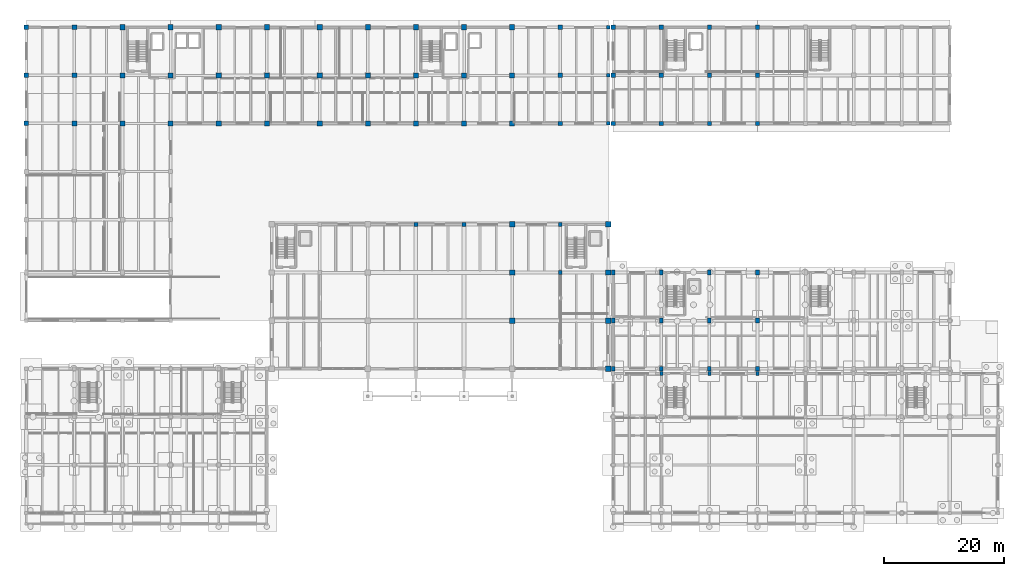
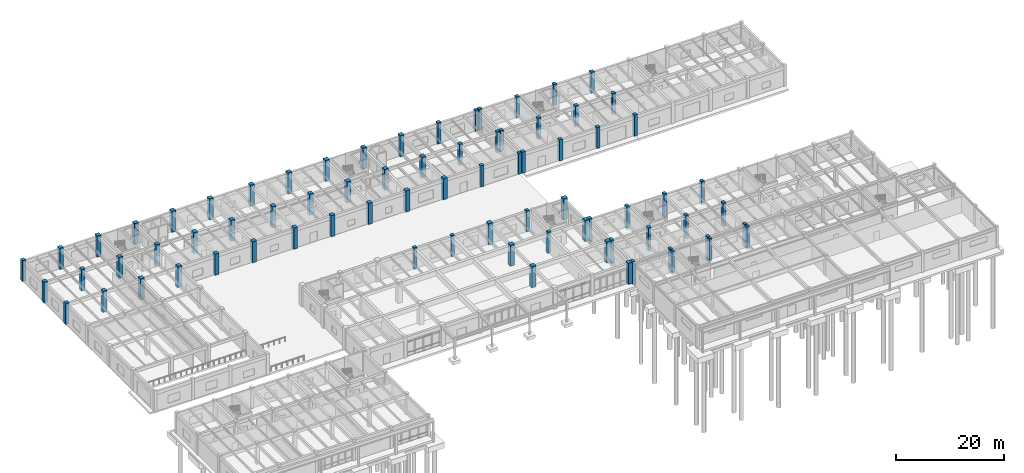
# One storey, part 10 of 64: 77 columns.
"""IFC4 building model written with IfcOpenShell, lengths in metres."""

from ifc_helpers import new_model, si_unit, direction, frame, origin, origin_2d, place, context, subcontext, project, spatial, rectangle, extrude, material, material_profile, profile_set, type_object, element, save


model = new_model("IFC4")

# Units and contexts
model_context = context("Model", 3, precision=1e-05, world=origin(), true_north=direction((0.0, 1.0)))
body_context = subcontext(model_context, "Body", "Model", "MODEL_VIEW")
ifc_project = project(units=[si_unit("LENGTHUNIT", "METRE"), si_unit("AREAUNIT", "SQUARE_METRE"), si_unit("VOLUMEUNIT", "CUBIC_METRE"), si_unit("PLANEANGLEUNIT", "RADIAN"), si_unit("MASSUNIT", "GRAM", prefix="KILO")], contexts=[model_context])

# Site, building, storey
site_placement = place(None, origin())
site = spatial("IfcSite", under=ifc_project, at=site_placement, CompositionType="ELEMENT")
building_placement = place(site_placement, origin())
building = spatial("IfcBuilding", under=site, at=building_placement, Name="Tlaxcora Railside Police Headquarters", CompositionType="ELEMENT")
storey_placement = place(building_placement, origin())
storey = spatial("IfcBuildingStorey", under=building, at=storey_placement, Name="L00", CompositionType="ELEMENT", Elevation=0.0)

# Columns
ifc_material = material(Name="Concrete C40/50", Category="concrete")
ifc_material_profile_1 = material_profile(ifc_material, rectangle(XDim=0.800048828125, YDim=0.800048828125, at=origin_2d()), Name="RC800X800")
ifc_profile_set_1 = profile_set([ifc_material_profile_1], Name="Concrete C40/50")
column_type_1 = type_object("IfcColumnType", Name="Structural Column CL-17", PredefinedType="COLUMN", material=ifc_profile_set_1)
for number, where, z_axis, x_axis, name in (
    (1, (13.199951171875, 76.800048828125, 0.0), (0.0, 0.0, 1.0), (1.0, 0.0, 0.0), "L00 column (13.2, 76.8)"),
    (2, (13.199951171875, 84.800048828125, 0.0), (0.0, 0.0, 1.0), (1.0, 0.0, 0.0), "L00 column (13.2, 84.8)"),
    (3, (13.199951171875, 92.800048828125, 0.0), (0.0, 0.0, 1.0), (1.0, 0.0, 0.0), "L00 column (13.2, 92.8)"),
):
    element("IfcColumn", number, at=place(storey_placement, frame(where, z_axis=z_axis, x_axis=x_axis)), inside=storey, type_object=column_type_1, Name=name, PredefinedType="COLUMN", context=body_context, shape_type="SweptSolid", body=[
        extrude(rectangle(XDim=0.800048828125, YDim=0.800048828125, at=origin_2d()), origin(), (0.0, 0.0, 1.0), 4.800048828125),
    ])
ifc_material_profile_2 = material_profile(ifc_material, rectangle(XDim=0.75, YDim=0.75, at=origin_2d()), Name="RC750X750")
ifc_profile_set_2 = profile_set([ifc_material_profile_2], Name="Concrete C40/50")
column_type_2 = type_object("IfcColumnType", Name="Structural Column CL-18", PredefinedType="COLUMN", material=ifc_profile_set_2)
for number, where, z_axis, x_axis, name in (
    (4, (5.199951171875, 76.800048828125, 0.0), (0.0, 0.0, 1.0), (1.0, 0.0, 0.0), "L00 column (5.2, 76.8)"),
    (5, (5.199951171875, 84.800048828125, 0.0), (0.0, 0.0, 1.0), (1.0, 0.0, 0.0), "L00 column (5.2, 84.8)"),
    (6, (5.199951171875, 92.800048828125, 0.0), (0.0, 0.0, 1.0), (1.0, 0.0, 0.0), "L00 column (5.2, 92.8)"),
):
    element("IfcColumn", number, at=place(storey_placement, frame(where, z_axis=z_axis, x_axis=x_axis)), inside=storey, type_object=column_type_2, Name=name, PredefinedType="COLUMN", context=body_context, shape_type="SweptSolid", body=[
        extrude(rectangle(XDim=0.75, YDim=0.75, at=origin_2d()), origin(), (0.0, 0.0, 1.0), 4.800048828125),
    ])
ifc_material_profile_3 = material_profile(ifc_material, rectangle(XDim=0.5, YDim=0.64990234375, at=origin_2d()), Name="RC500X650")
ifc_profile_set_3 = profile_set([ifc_material_profile_3], Name="Concrete C40/50")
column_type_3 = type_object("IfcColumnType", Name="Structural Column CL-28", PredefinedType="COLUMN", material=ifc_profile_set_3)
for number, where, z_axis, x_axis, name in (
    (7, (110.800048828125, 35.199951171875, -0.5), (0.0, 0.0, 1.0), (1.0, 0.0, 0.0), "L00 column (110.8, 35.2)"),
    (8, (118.800048828125, 35.199951171875, -0.5), (0.0, 0.0, 1.0), (1.0, 0.0, 0.0), "L00 column (118.8, 35.2)"),
    (9, (126.800048828125, 35.199951171875, -0.5), (0.0, 0.0, 1.0), (1.0, 0.0, 0.0), "L00 column (126.8, 35.2)"),
):
    element("IfcColumn", number, at=place(storey_placement, frame(where, z_axis=z_axis, x_axis=x_axis)), inside=storey, type_object=column_type_3, Name=name, PredefinedType="COLUMN", context=body_context, shape_type="SweptSolid", body=[
        extrude(rectangle(XDim=0.5, YDim=0.64990234375, at=origin_2d()), origin(), (0.0, 0.0, 1.0), 5.300048828125),
    ])
ifc_material_profile_4 = material_profile(ifc_material, rectangle(XDim=0.699951171875, YDim=0.699951171875, at=origin_2d()), Name="RC700X700")
ifc_profile_set_4 = profile_set([ifc_material_profile_4], Name="Concrete C40/50")
column_type_4 = type_object("IfcColumnType", Name="Structural Column CL-43", PredefinedType="COLUMN", material=ifc_profile_set_4)
for number, where, z_axis, x_axis, name in (
    (10, (94.0, 76.800048828125, 0.0), (0.0, 0.0, 1.0), (1.0, 0.0, 0.0), "L00 column (94.0, 76.8)"),
    (11, (94.0, 84.800048828125, 0.0), (0.0, 0.0, 1.0), (1.0, 0.0, 0.0), "L00 column (94.0, 84.8)"),
    (12, (94.0, 92.800048828125, 0.0), (0.0, 0.0, 1.0), (1.0, 0.0, 0.0), "L00 column (94.0, 92.8)"),
    (13, (102.800048828125, 76.800048828125, 0.0), (0.0, 0.0, 1.0), (1.0, 0.0, 0.0), "L00 column (102.8, 76.8)"),
    (14, (102.800048828125, 84.800048828125, 0.0), (0.0, 0.0, 1.0), (1.0, 0.0, 0.0), "L00 column (102.8, 84.8)"),
    (15, (102.800048828125, 92.800048828125, 0.0), (0.0, 0.0, 1.0), (1.0, 0.0, 0.0), "L00 column (102.8, 92.8)"),
    (16, (110.800048828125, 76.800048828125, 0.0), (0.0, 0.0, 1.0), (1.0, 0.0, 0.0), "L00 column (110.8, 76.8)"),
    (17, (110.800048828125, 84.800048828125, 0.0), (0.0, 0.0, 1.0), (1.0, 0.0, 0.0), "L00 column (110.8, 84.8)"),
    (18, (110.800048828125, 92.800048828125, 0.0), (0.0, 0.0, 1.0), (1.0, 0.0, 0.0), "L00 column (110.8, 92.8)"),
    (19, (118.800048828125, 76.800048828125, 0.0), (0.0, 0.0, 1.0), (1.0, 0.0, 0.0), "L00 column (118.8, 76.8)"),
    (20, (118.800048828125, 84.800048828125, 0.0), (0.0, 0.0, 1.0), (1.0, 0.0, 0.0), "L00 column (118.8, 84.8)"),
    (21, (118.800048828125, 92.800048828125, 0.0), (0.0, 0.0, 1.0), (1.0, 0.0, 0.0), "L00 column (118.8, 92.8)"),
    (22, (126.800048828125, 76.800048828125, 0.0), (0.0, 0.0, 1.0), (1.0, 0.0, 0.0), "L00 column (126.8, 76.8)"),
    (23, (126.800048828125, 84.800048828125, 0.0), (0.0, 0.0, 1.0), (1.0, 0.0, 0.0), "L00 column (126.8, 84.8)"),
    (24, (126.800048828125, 92.800048828125, 0.0), (0.0, 0.0, 1.0), (1.0, 0.0, 0.0), "L00 column (126.8, 92.8)"),
):
    element("IfcColumn", number, at=place(storey_placement, frame(where, z_axis=z_axis, x_axis=x_axis)), inside=storey, type_object=column_type_4, Name=name, PredefinedType="COLUMN", context=body_context, shape_type="SweptSolid", body=[
        extrude(rectangle(XDim=0.699951171875, YDim=0.699951171875, at=origin_2d()), origin(), (0.0, 0.0, 1.0), 4.800048828125),
    ])
ifc_material_profile_5 = material_profile(ifc_material, rectangle(XDim=0.89990234375, YDim=0.89990234375, at=origin_2d()), Name="RC900X900")
ifc_profile_set_5 = profile_set([ifc_material_profile_5], Name="Concrete C40/50")
column_type_5 = type_object("IfcColumnType", Name="Structural Column CL-45", PredefinedType="COLUMN", material=ifc_profile_set_5)
for number, where, z_axis, x_axis, name in (
    (25, (86.0, 44.0, 0.0), (0.0, 0.0, 1.0), (1.0, 0.0, 0.0), "L00 column (86.0, 44.0)"),
    (26, (86.0, 52.0, 0.0), (0.0, 0.0, 1.0), (1.0, 0.0, 0.0), "L00 column (86.0, 52.0)"),
    (27, (86.0, 60.0, 0.0), (0.0, 0.0, 1.0), (1.0, 0.0, 0.0), "L00 column (86.0, 60.0)"),
    (28, (102.0, 36.0, 0.0), (0.0, 0.0, 1.0), (1.0, 0.0, 0.0), "L00 column (102.0, 36.0)"),
    (29, (102.0, 44.0, 0.0), (0.0, 0.0, 1.0), (1.0, 0.0, 0.0), "L00 column (102.0, 44.0)"),
    (30, (102.0, 52.0, 0.0), (0.0, 0.0, 1.0), (1.0, 0.0, 0.0), "L00 column (102.0, 52.0)"),
    (31, (102.0, 60.0, 0.0), (0.0, 0.0, 1.0), (1.0, 0.0, 0.0), "L00 column (102.0, 60.0)"),
):
    element("IfcColumn", number, at=place(storey_placement, frame(where, z_axis=z_axis, x_axis=x_axis)), inside=storey, type_object=column_type_5, Name=name, PredefinedType="COLUMN", context=body_context, shape_type="SweptSolid", body=[
        extrude(rectangle(XDim=0.89990234375, YDim=0.89990234375, at=origin_2d()), origin(), (0.0, 0.0, 1.0), 4.800048828125),
    ])
ifc_material_profile_6 = material_profile(ifc_material, rectangle(XDim=0.60009765625, YDim=0.60009765625, at=origin_2d()), Name="RC600X600")
ifc_profile_set_6 = profile_set([ifc_material_profile_6], Name="Concrete C40/50")
column_type_6 = type_object("IfcColumnType", Name="Structural Column CL-53", PredefinedType="COLUMN", material=ifc_profile_set_6)
for number, where, z_axis, x_axis, name in (
    (32, (102.0, 76.800048828125, 0.0), (0.0, 0.0, 1.0), (1.0, 0.0, 0.0), "L00 column (102.0, 76.8)"),
    (33, (102.0, 84.800048828125, 0.0), (0.0, 0.0, 1.0), (1.0, 0.0, 0.0), "L00 column (102.0, 84.8)"),
    (34, (102.0, 92.800048828125, 0.0), (0.0, 0.0, 1.0), (1.0, 0.0, 0.0), "L00 column (102.0, 92.8)"),
):
    element("IfcColumn", number, at=place(storey_placement, frame(where, z_axis=z_axis, x_axis=x_axis)), inside=storey, type_object=column_type_6, Name=name, PredefinedType="COLUMN", context=body_context, shape_type="SweptSolid", body=[
        extrude(rectangle(XDim=0.60009765625, YDim=0.60009765625, at=origin_2d()), origin(), (0.0, 0.0, 1.0), 4.800048828125),
    ])
ifc_material_profile_7 = material_profile(ifc_material, rectangle(XDim=0.64990234375, YDim=0.64990234375, at=origin_2d()), Name="RC650X650")
ifc_profile_set_7 = profile_set([ifc_material_profile_7], Name="Concrete C40/50")
column_type_7 = type_object("IfcColumnType", Name="Structural Column CL-76", PredefinedType="COLUMN", material=ifc_profile_set_7)
for number, where, z_axis, x_axis, name in (
    (35, (70.0, 60.0, 0.0), (0.0, 0.0, 1.0), (1.0, 0.0, 0.0), "L00 column (70.0, 60.0)"),
    (36, (78.0, 60.0, 0.0), (0.0, 0.0, 1.0), (1.0, 0.0, 0.0), "L00 column (78.0, 60.0)"),
    (37, (94.0, 52.0, 0.0), (0.0, 0.0, 1.0), (1.0, 0.0, 0.0), "L00 column (94.0, 52.0)"),
    (38, (94.0, 60.0, 0.0), (0.0, 0.0, 1.0), (1.0, 0.0, 0.0), "L00 column (94.0, 60.0)"),
):
    element("IfcColumn", number, at=place(storey_placement, frame(where, z_axis=z_axis, x_axis=x_axis)), inside=storey, type_object=column_type_7, Name=name, PredefinedType="COLUMN", context=body_context, shape_type="SweptSolid", body=[
        extrude(rectangle(XDim=0.64990234375, YDim=0.64990234375, at=origin_2d()), origin(), (0.0, 0.0, 1.0), 4.800048828125),
    ])
ifc_material_profile_8 = material_profile(ifc_material, rectangle(XDim=0.85009765625, YDim=0.85009765625, at=origin_2d()), Name="RC850X850")
ifc_profile_set_8 = profile_set([ifc_material_profile_8], Name="Concrete C40/50")
column_type_8 = type_object("IfcColumnType", Name="Structural Column CL-77", PredefinedType="COLUMN", material=ifc_profile_set_8)
for number, where, z_axis, x_axis, name in (
    (39, (21.199951171875, 76.800048828125, 0.0), (0.0, 0.0, 1.0), (1.0, 0.0, 0.0), "L00 column (21.2, 76.8)"),
    (40, (21.199951171875, 84.800048828125, 0.0), (0.0, 0.0, 1.0), (1.0, 0.0, 0.0), "L00 column (21.2, 84.8)"),
    (41, (21.199951171875, 92.800048828125, 0.0), (0.0, 0.0, 1.0), (1.0, 0.0, 0.0), "L00 column (21.2, 92.8)"),
    (42, (29.199951171875, 76.800048828125, 0.0), (0.0, 0.0, 1.0), (1.0, 0.0, 0.0), "L00 column (29.2, 76.8)"),
    (43, (29.199951171875, 84.800048828125, 0.0), (0.0, 0.0, 1.0), (1.0, 0.0, 0.0), "L00 column (29.2, 84.8)"),
    (44, (29.199951171875, 92.800048828125, 0.0), (0.0, 0.0, 1.0), (1.0, 0.0, 0.0), "L00 column (29.2, 92.8)"),
    (45, (37.199951171875, 76.800048828125, 0.0), (0.0, 0.0, 1.0), (1.0, 0.0, 0.0), "L00 column (37.2, 76.8)"),
    (46, (37.199951171875, 84.800048828125, 0.0), (0.0, 0.0, 1.0), (1.0, 0.0, 0.0), "L00 column (37.2, 84.8)"),
    (47, (37.199951171875, 92.800048828125, 0.0), (0.0, 0.0, 1.0), (1.0, 0.0, 0.0), "L00 column (37.2, 92.8)"),
    (48, (45.199951171875, 76.800048828125, 0.0), (0.0, 0.0, 1.0), (1.0, 0.0, 0.0), "L00 column (45.2, 76.8)"),
    (49, (45.199951171875, 84.800048828125, 0.0), (0.0, 0.0, 1.0), (1.0, 0.0, 0.0), "L00 column (45.2, 84.8)"),
    (50, (45.199951171875, 92.800048828125, 0.0), (0.0, 0.0, 1.0), (1.0, 0.0, 0.0), "L00 column (45.2, 92.8)"),
    (51, (54.0, 76.800048828125, 0.0), (0.0, 0.0, 1.0), (1.0, 0.0, 0.0), "L00 column (54.0, 76.8)"),
    (52, (54.0, 84.800048828125, 0.0), (0.0, 0.0, 1.0), (1.0, 0.0, 0.0), "L00 column (54.0, 84.8)"),
    (53, (54.0, 92.800048828125, 0.0), (0.0, 0.0, 1.0), (1.0, 0.0, 0.0), "L00 column (54.0, 92.8)"),
    (54, (62.0, 76.800048828125, 0.0), (0.0, 0.0, 1.0), (1.0, 0.0, 0.0), "L00 column (62.0, 76.8)"),
    (55, (62.0, 84.800048828125, 0.0), (0.0, 0.0, 1.0), (1.0, 0.0, 0.0), "L00 column (62.0, 84.8)"),
    (56, (62.0, 92.800048828125, 0.0), (0.0, 0.0, 1.0), (1.0, 0.0, 0.0), "L00 column (62.0, 92.8)"),
    (57, (70.0, 76.800048828125, 0.0), (0.0, 0.0, 1.0), (1.0, 0.0, 0.0), "L00 column (70.0, 76.8)"),
    (58, (70.0, 84.800048828125, 0.0), (0.0, 0.0, 1.0), (1.0, 0.0, 0.0), "L00 column (70.0, 84.8)"),
    (59, (70.0, 92.800048828125, 0.0), (0.0, 0.0, 1.0), (1.0, 0.0, 0.0), "L00 column (70.0, 92.8)"),
    (60, (78.0, 76.800048828125, 0.0), (0.0, 0.0, 1.0), (1.0, 0.0, 0.0), "L00 column (78.0, 76.8)"),
    (61, (78.0, 84.800048828125, 0.0), (0.0, 0.0, 1.0), (1.0, 0.0, 0.0), "L00 column (78.0, 84.8)"),
    (62, (78.0, 92.800048828125, 0.0), (0.0, 0.0, 1.0), (1.0, 0.0, 0.0), "L00 column (78.0, 92.8)"),
    (63, (86.0, 76.800048828125, 0.0), (0.0, 0.0, 1.0), (1.0, 0.0, 0.0), "L00 column (86.0, 76.8)"),
    (64, (86.0, 84.800048828125, 0.0), (0.0, 0.0, 1.0), (1.0, 0.0, 0.0), "L00 column (86.0, 84.8)"),
    (65, (86.0, 92.800048828125, 0.0), (0.0, 0.0, 1.0), (1.0, 0.0, 0.0), "L00 column (86.0, 92.8)"),
):
    element("IfcColumn", number, at=place(storey_placement, frame(where, z_axis=z_axis, x_axis=x_axis)), inside=storey, type_object=column_type_8, Name=name, PredefinedType="COLUMN", context=body_context, shape_type="SweptSolid", body=[
        extrude(rectangle(XDim=0.85009765625, YDim=0.85009765625, at=origin_2d()), origin(), (0.0, 0.0, 1.0), 4.800048828125),
    ])
ifc_material_profile_9 = material_profile(ifc_material, rectangle(XDim=0.60009765625, YDim=0.800048828125, at=origin_2d()), Name="RC600X800")
ifc_profile_set_9 = profile_set([ifc_material_profile_9], Name="Concrete C40/50")
column_type_9 = type_object("IfcColumnType", Name="Structural Column CL-90", PredefinedType="COLUMN", material=ifc_profile_set_9)
for number, where, z_axis, x_axis, name in (
    (66, (102.800048828125, 36.0, -0.5), (0.0, 0.0, 1.0), (1.0, 0.0, 0.0), "L00 column (102.8, 36.0)"),
    (67, (102.800048828125, 44.0, -0.5), (0.0, 0.0, 1.0), (1.0, 0.0, 0.0), "L00 column (102.8, 44.0)"),
    (68, (102.800048828125, 52.0, -0.5), (0.0, 0.0, 1.0), (1.0, 0.0, 0.0), "L00 column (102.8, 52.0)"),
    (69, (110.800048828125, 36.0, -0.5), (0.0, 0.0, 1.0), (1.0, 0.0, 0.0), "L00 column (110.8, 36.0)"),
    (70, (110.800048828125, 44.0, -0.5), (0.0, 0.0, 1.0), (1.0, 0.0, 0.0), "L00 column (110.8, 44.0)"),
    (71, (110.800048828125, 52.0, -0.5), (0.0, 0.0, 1.0), (1.0, 0.0, 0.0), "L00 column (110.8, 52.0)"),
    (72, (118.800048828125, 36.0, -0.5), (0.0, 0.0, 1.0), (1.0, 0.0, 0.0), "L00 column (118.8, 36.0)"),
    (73, (118.800048828125, 44.0, -0.5), (0.0, 0.0, 1.0), (1.0, 0.0, 0.0), "L00 column (118.8, 44.0)"),
    (74, (118.800048828125, 52.0, -0.5), (0.0, 0.0, 1.0), (1.0, 0.0, 0.0), "L00 column (118.8, 52.0)"),
    (75, (126.800048828125, 36.0, -0.5), (0.0, 0.0, 1.0), (1.0, 0.0, 0.0), "L00 column (126.8, 36.0)"),
    (76, (126.800048828125, 44.0, -0.5), (0.0, 0.0, 1.0), (1.0, 0.0, 0.0), "L00 column (126.8, 44.0)"),
    (77, (126.800048828125, 52.0, -0.5), (0.0, 0.0, 1.0), (1.0, 0.0, 0.0), "L00 column (126.8, 52.0)"),
):
    element("IfcColumn", number, at=place(storey_placement, frame(where, z_axis=z_axis, x_axis=x_axis)), inside=storey, type_object=column_type_9, Name=name, PredefinedType="COLUMN", context=body_context, shape_type="SweptSolid", body=[
        extrude(rectangle(XDim=0.60009765625, YDim=0.800048828125, at=origin_2d()), origin(), (0.0, 0.0, 1.0), 5.300048828125),
    ])

save(model, "model.ifc")
